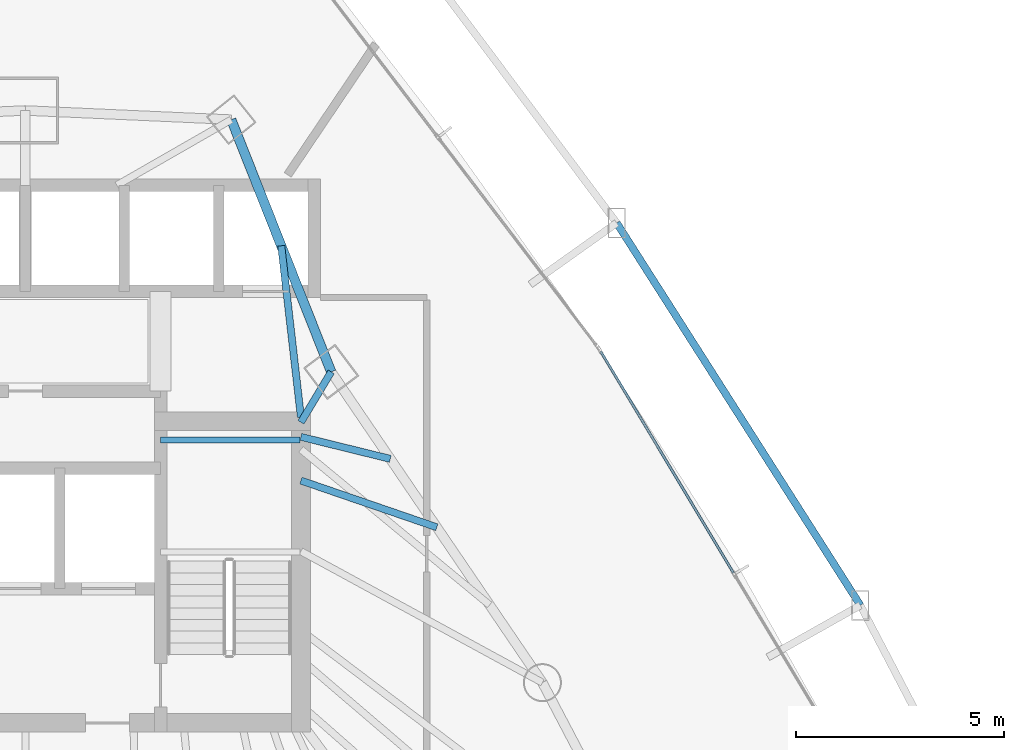
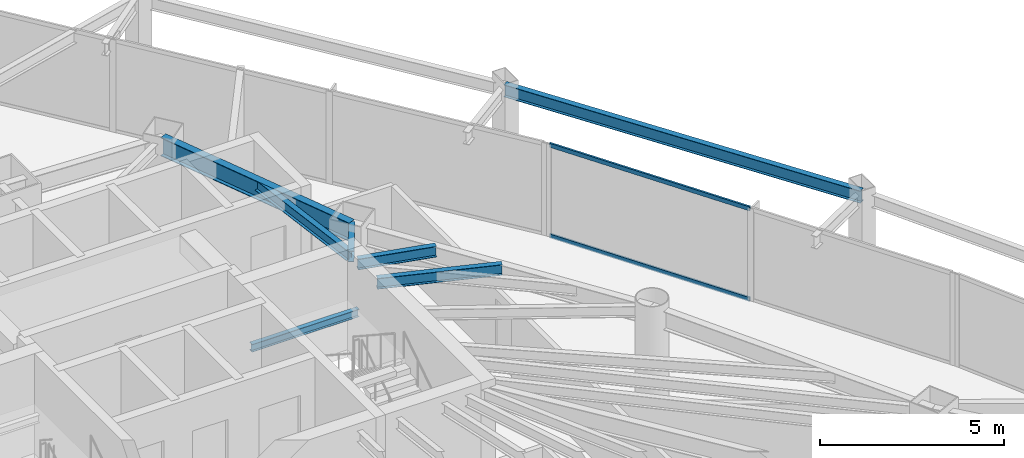
# One storey, part 28 of 37: 7 beams, 2 members, 1 element without a shape of its own.
"""IFC4 building model written with IfcOpenShell, lengths in metres."""

import ifcopenshell
import ifcopenshell.guid

model = None  # the IFC model being written
_history = None  # IfcOwnerHistory: only IFC2X3 demands one
_inside = {}  # id of a spatial element -> (the spatial element, [elements in it])
_under = {}  # id of a project, library or spatial element -> (it, [spatial elements below it])
_declared = {}  # id of a project -> (the project, [libraries it declares])
_typed = {}  # id of a type object -> (the type object, [elements of that type])
_made_of = {}  # id of a material, layer set ... -> (it, [elements and type objects made of it])


def new_model(schema):
    """Start an empty IFC model of exactly this schema.

    Asked for "IFC4X3", IfcOpenShell would pick the latest addendum, in which some entities
    have other attributes; the version numbers below select the first issue.
    IFC2X3 requires an IfcOwnerHistory on every rooted entity: one is made here for all.
    """
    global model, _history
    if schema == "IFC4X3":
        model = ifcopenshell.file(schema_version=(4, 3, 0, 0))
    else:
        model = ifcopenshell.file(schema=schema)
    _inside.clear()
    _under.clear()
    _declared.clear()
    _typed.clear()
    _made_of.clear()
    _history = None
    if model.schema == "IFC2X3":
        org = make("IfcOrganization", Name="unknown")
        user = make(
            "IfcPersonAndOrganization",
            ThePerson=make("IfcPerson", FamilyName="unknown"),
            TheOrganization=org,
        )
        app = make(
            "IfcApplication",
            ApplicationDeveloper=org,
            Version="unknown",
            ApplicationFullName="unknown",
            ApplicationIdentifier="unknown",
        )
        _history = make(
            "IfcOwnerHistory",
            OwningUser=user,
            OwningApplication=app,
            ChangeAction="ADDED",
            CreationDate=0,
        )
    return model


def make(cls, **values):
    """One entity of the class cls with the attributes given. An attribute that is None is left unset."""
    return model.create_entity(
        cls, **{name: value for name, value in values.items() if value is not None}
    )


def rooted(cls, **values):
    """An entity with a GlobalId (a new one), such as an element, a storey or a relation."""
    return make(cls, GlobalId=ifcopenshell.guid.new(), OwnerHistory=_history, **values)


def si_unit(unit_type, name, prefix=None):
    """IfcSIUnit, for example si_unit("LENGTHUNIT", "METRE", prefix="MILLI")."""
    return make("IfcSIUnit", UnitType=unit_type, Prefix=prefix, Name=name)


def assignment(units):
    """IfcUnitAssignment: the units of a project."""
    return None if units is None else make("IfcUnitAssignment", Units=units)


def point(xyz):
    """IfcCartesianPoint."""
    return None if xyz is None else make("IfcCartesianPoint", Coordinates=xyz)


def direction(xyz):
    """IfcDirection."""
    return None if xyz is None else make("IfcDirection", DirectionRatios=xyz)


def frame(location, z_axis=None, x_axis=None):
    """IfcAxis2Placement3D, a coordinate frame: its origin and axes. An axis left out is left unset."""
    return make(
        "IfcAxis2Placement3D",
        Location=point(location),
        Axis=direction(z_axis),
        RefDirection=direction(x_axis),
    )


def frame_2d(location, x_axis=None):
    """IfcAxis2Placement2D, a coordinate frame in the plane: its origin and x axis."""
    return make(
        "IfcAxis2Placement2D", Location=point(location), RefDirection=direction(x_axis)
    )


def origin():
    """The frame at (0, 0, 0) with its axes left unset."""
    return frame((0.0, 0.0, 0.0))


def origin_2d():
    """The frame at (0, 0) in the plane with its x axis left unset."""
    return frame_2d((0.0, 0.0))


def place(relative_to, where):
    """IfcLocalPlacement: puts the frame where relative to a parent placement (None: the world)."""
    return make(
        "IfcLocalPlacement", PlacementRelTo=relative_to, RelativePlacement=where
    )


def context(
    kind, dimensions, precision=None, world=None, true_north=None, identifier=None
):
    """IfcGeometricRepresentationContext, for example the 3D "Model" context."""
    return make(
        "IfcGeometricRepresentationContext",
        ContextIdentifier=identifier,
        ContextType=kind,
        CoordinateSpaceDimension=dimensions,
        Precision=precision,
        WorldCoordinateSystem=world,
        TrueNorth=true_north,
    )


def subcontext(parent, identifier, kind, view, scale=None):
    """IfcGeometricRepresentationSubContext, for example "Body" below "Model"."""
    return make(
        "IfcGeometricRepresentationSubContext",
        ContextIdentifier=identifier,
        ContextType=kind,
        ParentContext=parent,
        TargetScale=scale,
        TargetView=view,
    )


def project(units=None, contexts=None):
    """IfcProject with its units and contexts."""
    return rooted(
        "IfcProject",
        Name="project",
        RepresentationContexts=contexts,
        UnitsInContext=assignment(units),
    )


def spatial(cls, under=None, at=None, **own):
    """A site, building, storey or space (cls), placed at a placement, below another one or the project."""
    s = rooted(cls, ObjectPlacement=at, **own)
    if under is not None:
        _under.setdefault(under.id(), (under, []))[1].append(s)
    return s


def profile(cls, at=None, kind="AREA", **sizes):
    """A parametric profile (cls). Its sizes go by their IFC names, for example OverallWidth=200.0."""
    return make(cls, ProfileType=kind, Position=at, **sizes)


def hollow_rectangle(**sizes):
    """IfcRectangleHollowProfileDef."""
    return profile("IfcRectangleHollowProfileDef", **sizes)


def i_section(**sizes):
    """IfcIShapeProfileDef."""
    return profile("IfcIShapeProfileDef", **sizes)


def extrude(swept, where, along, depth):
    """IfcExtrudedAreaSolid: the profile swept, set in the frame where, extruded along a direction by depth."""
    return make(
        "IfcExtrudedAreaSolid",
        SweptArea=swept,
        Position=where,
        ExtrudedDirection=direction(along),
        Depth=depth,
    )


def shape(context_of_items, identifier, shape_type, items):
    """IfcShapeRepresentation: the items that make up one representation, for example the "Body"."""
    return make(
        "IfcShapeRepresentation",
        ContextOfItems=context_of_items,
        RepresentationIdentifier=identifier,
        RepresentationType=shape_type,
        Items=items,
    )


def material(Name=None, Category=None):
    """IfcMaterial."""
    return make("IfcMaterial", Name=Name, Category=Category)


def layer(
    of_material, thickness, ventilated=None, Name=None, Category=None, Priority=None
):
    """IfcMaterialLayer: one layer of a wall or slab, of a material (None: an air gap)."""
    return make(
        "IfcMaterialLayer",
        Material=of_material,
        LayerThickness=thickness,
        IsVentilated=ventilated,
        Name=Name,
        Category=Category,
        Priority=Priority,
    )


def layer_set(layers, Name=None):
    """IfcMaterialLayerSet."""
    return make("IfcMaterialLayerSet", MaterialLayers=layers, LayerSetName=Name)


def material_profile(
    of_material, cross_section, Name=None, Category=None, Priority=None
):
    """IfcMaterialProfile: a cross section and its material."""
    return make(
        "IfcMaterialProfile",
        Name=Name,
        Material=of_material,
        Profile=cross_section,
        Priority=Priority,
        Category=Category,
    )


def profile_set(profiles, Name=None, composite=None):
    """IfcMaterialProfileSet."""
    return make(
        "IfcMaterialProfileSet",
        Name=Name,
        MaterialProfiles=profiles,
        CompositeProfile=composite,
    )


def made_of(thing, what):
    """Note that an element or type object is made of a material, layer set ...; save() writes the relation."""
    if what is not None:
        _made_of.setdefault(what.id(), (what, []))[1].append(thing)
    return thing


def type_object(cls, material=None, **own):
    """A type object (cls), such as IfcWallType, which elements share."""
    return made_of(rooted(cls, **own), material)


def element(
    cls,
    number,
    at=None,
    inside=None,
    cuts=None,
    type_object=None,
    material=None,
    context=None,
    identifier="Body",
    shape_type=None,
    held_by="IfcProductDefinitionShape",
    body=None,
    shapes=None,
    **own,
):
    """One element of the class cls, such as IfcWall. Its Tag is "e" and its number.

    at: its placement. inside: the storey or other place that contains it. cuts: it is an
    opening in that element (IfcRelVoidsElement). A single representation is given by context,
    identifier, shape_type and body (its items); several are given by shapes. held_by: the class
    of the entity that holds the representations. save() writes the other relations.
    """
    e = rooted(cls, Tag="e%d" % number, ObjectPlacement=at, **own)
    if body is not None:
        shapes = [shape(context, identifier, shape_type, body)]
    if shapes is not None:
        e.Representation = make(held_by, Representations=shapes)
    if inside is not None:
        _inside.setdefault(inside.id(), (inside, []))[1].append(e)
    if cuts is not None:
        rooted(
            "IfcRelVoidsElement", RelatingBuildingElement=cuts, RelatedOpeningElement=e
        )
    if type_object is not None:
        _typed.setdefault(type_object.id(), (type_object, []))[1].append(e)
    return made_of(e, material)


def aggregate(whole, parts):
    """IfcRelAggregates: a whole, such as a stair, and the parts it consists of."""
    return rooted("IfcRelAggregates", RelatingObject=whole, RelatedObjects=parts)


def save(model, path):
    """Write the relations noted so far, then the file.

    IfcRelAggregates (storeys below a building ...), IfcRelContainedInSpatialStructure (elements
    in a storey), IfcRelDefinesByType, IfcRelAssociatesMaterial and IfcRelDeclares: one each for
    every whole, place, type object, material and project.
    """
    for whole, parts in _under.values():
        aggregate(whole, parts)
    for where, things in _inside.values():
        rooted(
            "IfcRelContainedInSpatialStructure",
            RelatedElements=things,
            RelatingStructure=where,
        )
    for kind, things in _typed.values():
        rooted("IfcRelDefinesByType", RelatedObjects=things, RelatingType=kind)
    for what, things in _made_of.values():
        rooted("IfcRelAssociatesMaterial", RelatedObjects=things, RelatingMaterial=what)
    for by, libraries in _declared.values():
        rooted("IfcRelDeclares", RelatingContext=by, RelatedDefinitions=libraries)
    model.write(path)


model = new_model("IFC4")

# Units and contexts
model_context = context("Model", 3, precision=1e-05, world=origin(), true_north=direction((0.0, 1.0)))
body_context = subcontext(model_context, "Body", "Model", "MODEL_VIEW")
ifc_project = project(units=[si_unit("LENGTHUNIT", "METRE"), si_unit("AREAUNIT", "SQUARE_METRE"), si_unit("VOLUMEUNIT", "CUBIC_METRE"), si_unit("PLANEANGLEUNIT", "RADIAN"), si_unit("MASSUNIT", "GRAM", prefix="KILO")], contexts=[model_context])

# Site, building, storey
site_placement = place(None, origin())
site = spatial("IfcSite", under=ifc_project, at=site_placement, CompositionType="ELEMENT")
building_placement = place(site_placement, origin())
building = spatial("IfcBuilding", under=site, at=building_placement, Name="Orvanel Arch Residences", CompositionType="ELEMENT")
storey_placement = place(building_placement, frame((0.0, 0.0, 53.300048828125)))
storey = spatial("IfcBuildingStorey", under=building, at=storey_placement, Name="L14", CompositionType="ELEMENT", Elevation=53.300048828125)

# Beams
ifc_material_1 = material(Name="Structural steel AS/NZS 3679.1 Grade 300 (300 MPa)", Category="steel")
ifc_material_profile_1 = material_profile(ifc_material_1, i_section(OverallWidth=0.14599609375, OverallDepth=0.251953125, WebThickness=0.006103515625, FlangeThickness=0.008544921875, at=origin_2d()), Name="250UB31.4")
ifc_profile_set_1 = profile_set([ifc_material_profile_1], Name="Structural steel AS/NZS 3679.1 Grade 300 (300 MPa)")
beam_type_1 = type_object("IfcBeamType", Name="BJ-250UB", PredefinedType="JOIST", material=ifc_profile_set_1)
beam_1_placement = place(storey_placement, frame((36.25, 33.47998046875, 1.323974609375), z_axis=(1.0, 0.0, 0.0), x_axis=(0.0, 1.0, 0.0)))
element("IfcBeam", 1, at=beam_1_placement, inside=storey, type_object=beam_type_1, Name="L14 ST-2 Half-Landing Support Beam 1.2", PredefinedType="JOIST", context=body_context, shape_type="SweptSolid", body=[
    extrude(i_section(OverallWidth=0.14599609375, OverallDepth=0.251953125, WebThickness=0.006103515625, FlangeThickness=0.008544921875, at=origin_2d()), origin(), (0.0, 0.0, 1.0), 3.35009765625),
])
ifc_material_profile_2 = material_profile(ifc_material_1, i_section(OverallWidth=0.1708984375, OverallDepth=0.35595703125, WebThickness=0.00732421875, FlangeThickness=0.011474609375, at=origin_2d()), Name="360UB50.7")
ifc_profile_set_2 = profile_set([ifc_material_profile_2], Name="Structural steel AS/NZS 3679.1 Grade 300 (300 MPa)")
beam_type_2 = type_object("IfcBeamType", Name="BJ-360UB", PredefinedType="JOIST", material=ifc_profile_set_2)
beam_2_placement = place(storey_placement, frame((39.625, 33.89990234375, 2.8818359375), z_axis=(0.514064138778, 0.857751748015, 0.0), x_axis=(-0.857751748015, 0.514064138778, 0.0)))
element("IfcBeam", 2, at=beam_2_placement, inside=storey, type_object=beam_type_2, Name="L14 NNE Wing Floor Joist", PredefinedType="JOIST", context=body_context, shape_type="SweptSolid", body=[
    extrude(i_section(OverallWidth=0.1708984375, OverallDepth=0.35595703125, WebThickness=0.00732421875, FlangeThickness=0.011474609375, at=origin_2d()), origin(), (0.0, 0.0, 1.0), 1.414306640625),
])
beam_3_placement = place(storey_placement, frame((39.625, 34.02001953125, 2.8818359375), z_axis=(-0.114186670431, 0.993459311847, 0.0), x_axis=(-0.993459311847, -0.114186670431, 0.0)))
element("IfcBeam", 3, at=beam_3_placement, inside=storey, type_object=beam_type_2, Name="L14 NNE2 Wing Floor Joist", PredefinedType="JOIST", context=body_context, shape_type="SweptSolid", body=[
    extrude(i_section(OverallWidth=0.1708984375, OverallDepth=0.35595703125, WebThickness=0.00732421875, FlangeThickness=0.011474609375, at=origin_2d()), origin(), (0.0, 0.0, 1.0), 4.152099609375),
])
beam_4_placement = place(storey_placement, frame((39.625, 32.5, 2.8818359375), z_axis=(0.945658073701, -0.325162740247, 0.0), x_axis=(0.325162740247, 0.945658073701, 0.0)))
element("IfcBeam", 4, at=beam_4_placement, inside=storey, type_object=beam_type_2, Name="L14 ENE Wing Floor Joist", PredefinedType="JOIST", context=body_context, shape_type="SweptSolid", body=[
    extrude(i_section(OverallWidth=0.1708984375, OverallDepth=0.35595703125, WebThickness=0.00732421875, FlangeThickness=0.011474609375, at=origin_2d()), origin(), (0.0, 0.0, 1.0), 3.453857421875),
])
beam_5_placement = place(storey_placement, frame((39.625, 33.550048828125, 2.8818359375), z_axis=(0.971005818547, -0.239055851942, 0.0), x_axis=(0.239055851942, 0.971005818547, 0.0)))
element("IfcBeam", 5, at=beam_5_placement, inside=storey, type_object=beam_type_2, Name="L14 JADD4 Wing Floor Joist", PredefinedType="JOIST", context=body_context, shape_type="SweptSolid", body=[
    extrude(i_section(OverallWidth=0.1708984375, OverallDepth=0.35595703125, WebThickness=0.00732421875, FlangeThickness=0.011474609375, at=origin_2d()), origin(), (0.0, 0.0, 1.0), 2.213134765625),
])
ifc_material_profile_3 = material_profile(ifc_material_1, i_section(OverallWidth=0.177978515625, OverallDepth=0.406005859375, WebThickness=0.0078125, FlangeThickness=0.0126953125, at=origin_2d()), Name="410UB59.7")
ifc_profile_set_3 = profile_set([ifc_material_profile_3], Name="Structural steel AS/NZS 3679.1 Grade 300 (300 MPa)")
beam_type_3 = type_object("IfcBeamType", Name="OB-410UB-EXT", PredefinedType="SPANDREL", material=ifc_profile_set_3)
beam_6_placement = place(storey_placement, frame((53.073974609375, 29.5009765625, 2.85693359375), z_axis=(-0.53731744092, 0.843380084946, 0.0), x_axis=(-0.843380084946, -0.53731744092, 0.0)))
element("IfcBeam", 6, at=beam_6_placement, inside=storey, type_object=beam_type_3, Name="L14 Outer Perimeter Floor Ring Beam 10", PredefinedType="SPANDREL", context=body_context, shape_type="SweptSolid", body=[
    extrude(i_section(OverallWidth=0.177978515625, OverallDepth=0.406005859375, WebThickness=0.0078125, FlangeThickness=0.0126953125, at=origin_2d()), origin(), (0.0, 0.0, 1.0), 10.900390625),
])
ifc_material_profile_4 = material_profile(ifc_material_1, i_section(OverallWidth=0.22900390625, OverallDepth=0.612060546875, WebThickness=0.011962890625, FlangeThickness=0.01953125, at=origin_2d()), Name="610UB125")
ifc_profile_set_4 = profile_set([ifc_material_profile_4], Name="Structural steel AS/NZS 3679.1 Grade 300 (300 MPa)")
beam_type_4 = type_object("IfcBeamType", Name="SP-610UB", PredefinedType="SPANDREL", material=ifc_profile_set_4)
beam_7_placement = place(storey_placement, frame((40.35205078125, 35.113037109375, 2.75390625), z_axis=(-0.368233143579, 0.929733484376, 0.0), x_axis=(-0.929733484376, -0.368233143579, 0.0)))
element("IfcBeam", 7, at=beam_7_placement, inside=storey, type_object=beam_type_4, Name="L14 Perimeter Spandrel Beam 15", PredefinedType="SPANDREL", context=body_context, shape_type="SweptSolid", body=[
    extrude(i_section(OverallWidth=0.22900390625, OverallDepth=0.612060546875, WebThickness=0.011962890625, FlangeThickness=0.01953125, at=origin_2d()), origin(), (0.0, 0.0, 1.0), 6.523193359375),
])

# Curtain wall, members
ifc_material_2 = material(Name="Bronze-anodised aluminium AA6063-T6", Category="aluminium")
ifc_layer = layer(ifc_material_2, 0.179931640625)
ifc_layer_set = layer_set([ifc_layer], Name="Bronze-anodised aluminium AA6063-T6")
curtain_wall_type = type_object("IfcCurtainWallType", Name="CW2-LOW-SYS", PredefinedType="NOTDEFINED", material=ifc_layer_set)
curtain_wall_placement = place(storey_placement, origin())
curtain_wall = element("IfcCurtainWall", 8, at=curtain_wall_placement, inside=storey, type_object=curtain_wall_type, Name="L14 CW2-LOW-SYS Unitised Curtain Wall", PredefinedType="NOTDEFINED")
ifc_material_profile_5 = material_profile(ifc_material_2, hollow_rectangle(XDim=0.06005859375, YDim=0.135009765625, WallThickness=0.00390625, at=origin_2d()), Name="ALU135x60x4")
ifc_profile_set_5 = profile_set([ifc_material_profile_5], Name="Bronze-anodised aluminium AA6063-T6")
member_type = type_object("IfcMemberType", Name="TRN-135x60", PredefinedType="USERDEFINED", material=ifc_profile_set_5)
member_1_placement = place(storey_placement, frame((50.02392578125, 30.280517578125, 0.030029296875), z_axis=(-0.514351154376, 0.857579669764, 0.0), x_axis=(-0.857579669764, -0.514351154376, 0.0)))
member_1 = element("IfcMember", 9, at=member_1_placement, type_object=member_type, Name="CW-S2 transom 2.1", ObjectType="TRANSOM", PredefinedType="USERDEFINED", context=body_context, shape_type="SweptSolid", body=[
    extrude(hollow_rectangle(XDim=0.06005859375, YDim=0.135009765625, WallThickness=0.00390625, at=origin_2d()), origin(), (0.0, 0.0, 1.0), 6.20751953125),
])
member_2_placement = place(storey_placement, frame((50.02392578125, 30.280517578125, 3.030029296875), z_axis=(-0.514351154376, 0.857579669764, 0.0), x_axis=(-0.857579669764, -0.514351154376, 0.0)))
member_2 = element("IfcMember", 10, at=member_2_placement, type_object=member_type, Name="CW-S2 transom 2.2", ObjectType="TRANSOM", PredefinedType="USERDEFINED", context=body_context, shape_type="SweptSolid", body=[
    extrude(hollow_rectangle(XDim=0.06005859375, YDim=0.135009765625, WallThickness=0.00390625, at=origin_2d()), origin(), (0.0, 0.0, 1.0), 6.20751953125),
])
aggregate(curtain_wall, [member_1, member_2])

save(model, "model.ifc")
